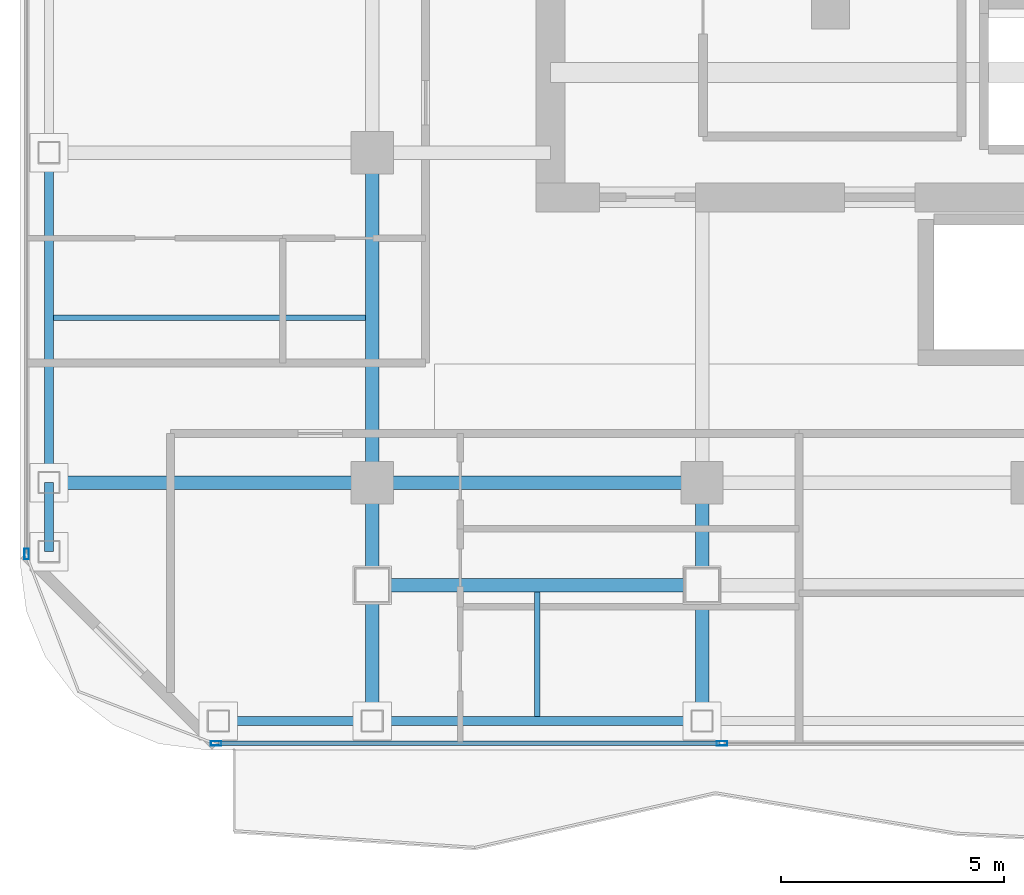
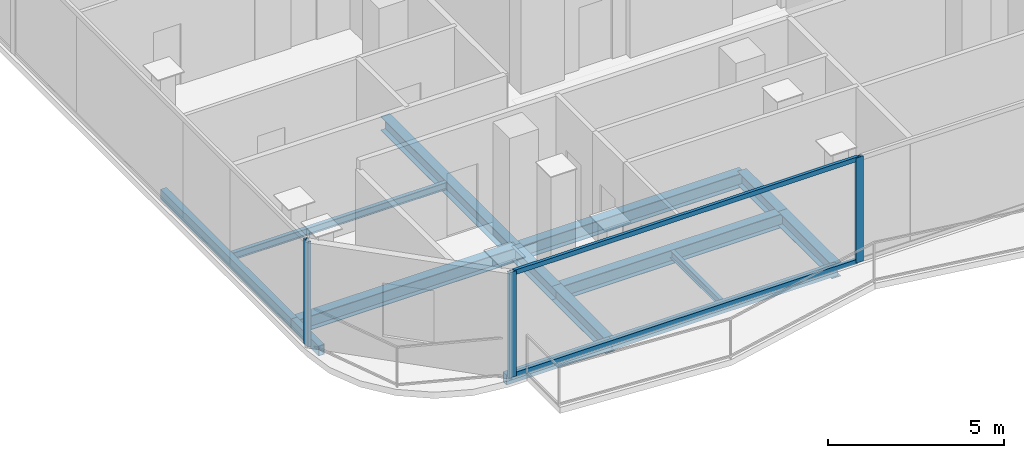
# One storey, part 2 of 22: 14 beams, 5 members, 2 elements without a shape of their own.
"""IFC4 building model written with IfcOpenShell, lengths in metres."""

from ifc_helpers import new_model, si_unit, direction, frame, origin, origin_2d, place, context, subcontext, project, spatial, hollow_rectangle, i_section, extrude, material, layer, layer_set, material_profile, profile_set, type_object, element, aggregate, save


model = new_model("IFC4")

# Units and contexts
model_context = context("Model", 3, precision=1e-05, world=origin(), true_north=direction((0.0, 1.0)))
body_context = subcontext(model_context, "Body", "Model", "MODEL_VIEW")
ifc_project = project(units=[si_unit("LENGTHUNIT", "METRE"), si_unit("AREAUNIT", "SQUARE_METRE"), si_unit("VOLUMEUNIT", "CUBIC_METRE"), si_unit("PLANEANGLEUNIT", "RADIAN"), si_unit("MASSUNIT", "GRAM", prefix="KILO")], contexts=[model_context])

# Site, building, storey
site_placement = place(None, origin())
site = spatial("IfcSite", under=ifc_project, at=site_placement, CompositionType="ELEMENT")
building_placement = place(site_placement, origin())
building = spatial("IfcBuilding", under=site, at=building_placement, Name="Khorvyn Point Tower", CompositionType="ELEMENT")
storey_placement = place(building_placement, frame((0.0, 0.0, 309.300048828125)))
storey = spatial("IfcBuildingStorey", under=building, at=storey_placement, Name="L76", CompositionType="ELEMENT", Elevation=309.300048828125)

# Curtain wall, members
ifc_material_1 = material(Name="Anodised aluminium 6063-T6 and laminated Low-E glass", Category="aluminium")
ifc_layer = layer(ifc_material_1, 0.18994140625)
ifc_layer_set = layer_set([ifc_layer], Name="Stick-Built High-Wind Curtain Wall CW-SYS-04")
curtain_wall_type = type_object("IfcCurtainWallType", Name="Stick-Built High-Wind Curtain Wall CW-SYS-04", PredefinedType="NOTDEFINED", material=ifc_layer_set)
curtain_wall_1_placement = place(storey_placement, origin())
curtain_wall_1 = element("IfcCurtainWall", 1, at=curtain_wall_1_placement, inside=storey, type_object=curtain_wall_type, Name="Curtain Wall", PredefinedType="NOTDEFINED")
ifc_material_2 = material(Name="Anodised aluminium 6063-T6", Category="aluminium")
ifc_material_profile_1 = material_profile(ifc_material_2, hollow_rectangle(XDim=0.10009765625, YDim=0.239990234375, WallThickness=0.0048828125, at=origin_2d()))
ifc_profile_set_1 = profile_set([ifc_material_profile_1], Name="Anodised aluminium 6063-T6 ALU-MUL-100x240")
member_type_1 = type_object("IfcMemberType", Name="Anodised Aluminium 6063-T6 Mullion ALU-MUL-100x240", PredefinedType="MULLION", material=ifc_profile_set_1)
member_1_placement = place(storey_placement, frame((-6.95361328125, -20.64990234375, 0.0), z_axis=(0.0, 0.0, 1.0), x_axis=(0.0, -1.0, 0.0)))
member_1 = element("IfcMember", 2, at=member_1_placement, type_object=member_type_1, Name="Transom", PredefinedType="MULLION", context=body_context, shape_type="SweptSolid", body=[
    extrude(hollow_rectangle(XDim=0.10009765625, YDim=0.239990234375, WallThickness=0.0048828125, at=origin_2d()), origin(), (0.0, 0.0, 1.0), 3.639892578125),
])
member_2_placement = place(storey_placement, frame((-18.300048828125, -20.64990234375, 0.0), z_axis=(0.0, 0.0, 1.0), x_axis=(0.0, -1.0, 0.0)))
member_2 = element("IfcMember", 3, at=member_2_placement, type_object=member_type_1, Name="Transom", PredefinedType="MULLION", context=body_context, shape_type="SweptSolid", body=[
    extrude(hollow_rectangle(XDim=0.10009765625, YDim=0.239990234375, WallThickness=0.0048828125, at=origin_2d()), origin(), (0.0, 0.0, 1.0), 3.639892578125),
])

# Curtain wall, member
curtain_wall_2_placement = place(storey_placement, origin())
curtain_wall_2 = element("IfcCurtainWall", 4, at=curtain_wall_2_placement, inside=storey, type_object=curtain_wall_type, Name="Curtain Wall", PredefinedType="NOTDEFINED")
member_3_placement = place(storey_placement, frame((-22.550048828125, -16.39990234375, 0.0), z_axis=(0.0, 0.0, 1.0), x_axis=(-1.0, 0.0, 0.0)))
member_3 = element("IfcMember", 5, at=member_3_placement, type_object=member_type_1, Name="Transom", PredefinedType="MULLION", context=body_context, shape_type="SweptSolid", body=[
    extrude(hollow_rectangle(XDim=0.10009765625, YDim=0.239990234375, WallThickness=0.0048828125, at=origin_2d()), origin(), (0.0, 0.0, 1.0), 3.639892578125),
])
aggregate(curtain_wall_2, [member_3])

# Member
ifc_material_profile_2 = material_profile(ifc_material_2, hollow_rectangle(XDim=0.10009765625, YDim=0.159912109375, WallThickness=0.00439453125, at=origin_2d()))
ifc_profile_set_2 = profile_set([ifc_material_profile_2], Name="Anodised aluminium 6063-T6 ALU-TRN-100x160")
member_type_2 = type_object("IfcMemberType", Name="Anodised Aluminium 6063-T6 Transom ALU-TRN-100x160", PredefinedType="USERDEFINED", material=ifc_profile_set_2)
member_4_placement = place(storey_placement, frame((-7.00341796875, -20.64990234375, 0.050048828125), z_axis=(-1.0, 0.0, 0.0), x_axis=(0.0, -1.0, 0.0)))
member_4 = element("IfcMember", 6, at=member_4_placement, type_object=member_type_2, Name="Transom", ObjectType="TRANSOM", PredefinedType="USERDEFINED", context=body_context, shape_type="SweptSolid", body=[
    extrude(hollow_rectangle(XDim=0.10009765625, YDim=0.159912109375, WallThickness=0.00439453125, at=origin_2d()), origin(), (0.0, 0.0, 1.0), 11.24658203125),
])

member_5_placement = place(storey_placement, frame((-7.00341796875, -20.64990234375, 3.58984375), z_axis=(-1.0, 0.0, 0.0), x_axis=(0.0, -1.0, 0.0)))
member_5 = element("IfcMember", 7, at=member_5_placement, type_object=member_type_2, Name="Transom", ObjectType="TRANSOM", PredefinedType="USERDEFINED", context=body_context, shape_type="SweptSolid", body=[
    extrude(hollow_rectangle(XDim=0.10009765625, YDim=0.159912109375, WallThickness=0.00439453125, at=origin_2d()), origin(), (0.0, 0.0, 1.0), 11.24658203125),
])

aggregate(curtain_wall_1, [member_1, member_2, member_4, member_5])

# Beams
ifc_material_3 = material(Name="Steel S355", Category="steel")
ifc_material_profile_3 = material_profile(ifc_material_3, i_section(OverallWidth=0.125, OverallDepth=0.25, WebThickness=0.006103515625, FlangeThickness=0.009033203125, at=origin_2d()))
ifc_profile_set_3 = profile_set([ifc_material_profile_3], Name="Steel S355 H250x125x6x9")
beam_type_1 = type_object("IfcBeamType", Name="Steel S355 Joist H250x125x6x9", PredefinedType="JOIST", material=ifc_profile_set_3)
beam_1_placement = place(storey_placement, frame((-21.949951171875, -11.10009765625, -0.344970703125), z_axis=(1.0, 0.0, 0.0), x_axis=(0.0, 1.0, 0.0)))
element("IfcBeam", 8, at=beam_1_placement, inside=storey, type_object=beam_type_1, Name="Beam", PredefinedType="JOIST", context=body_context, shape_type="SweptSolid", body=[
    extrude(i_section(OverallWidth=0.125, OverallDepth=0.25, WebThickness=0.006103515625, FlangeThickness=0.009033203125, at=origin_2d()), origin(), (0.0, 0.0, 1.0), 7.0),
])
beam_2_placement = place(storey_placement, frame((-11.10009765625, -20.050048828125, -0.344970703125), z_axis=(0.0, 1.0, 0.0), x_axis=(-1.0, 0.0, 0.0)))
element("IfcBeam", 9, at=beam_2_placement, inside=storey, type_object=beam_type_1, Name="Beam", PredefinedType="JOIST", context=body_context, shape_type="SweptSolid", body=[
    extrude(i_section(OverallWidth=0.125, OverallDepth=0.25, WebThickness=0.006103515625, FlangeThickness=0.009033203125, at=origin_2d()), origin(), (0.0, 0.0, 1.0), 2.800048828125),
])
ifc_material_profile_4 = material_profile(ifc_material_3, i_section(OverallWidth=0.300048828125, OverallDepth=0.488037109375, WebThickness=0.010986328125, FlangeThickness=0.01806640625, at=origin_2d()))
ifc_profile_set_4 = profile_set([ifc_material_profile_4], Name="Steel S355 H488x300x11x18")
beam_type_2 = type_object("IfcBeamType", Name="Steel S355 Spandrel H488x300x11x18", PredefinedType="SPANDREL", material=ifc_profile_set_4)
beam_3_placement = place(storey_placement, frame((-22.050048828125, -14.800048828125, -0.464111328125), z_axis=(1.0, 0.0, 0.0), x_axis=(0.0, 1.0, 0.0)))
element("IfcBeam", 10, at=beam_3_placement, inside=storey, type_object=beam_type_2, Name="Beam", PredefinedType="SPANDREL", context=body_context, shape_type="SweptSolid", body=[
    extrude(i_section(OverallWidth=0.300048828125, OverallDepth=0.488037109375, WebThickness=0.010986328125, FlangeThickness=0.01806640625, at=origin_2d()), origin(), (0.0, 0.0, 1.0), 7.25),
])
for number, where, z_axis, x_axis, name in (
    (11, (-14.800048828125, -14.800048828125, -0.464111328125), (1.0, 0.0, 0.0), (0.0, 1.0, 0.0), "Beam"),
    (12, (-14.800048828125, -17.10009765625, -0.464111328125), (1.0, 0.0, 0.0), (0.0, 1.0, 0.0), "Beam"),
):
    element("IfcBeam", number, at=place(storey_placement, frame(where, z_axis=z_axis, x_axis=x_axis)), inside=storey, type_object=beam_type_2, Name=name, PredefinedType="SPANDREL", context=body_context, shape_type="SweptSolid", body=[
        extrude(i_section(OverallWidth=0.300048828125, OverallDepth=0.488037109375, WebThickness=0.010986328125, FlangeThickness=0.01806640625, at=origin_2d()), origin(), (0.0, 0.0, 1.0), 7.400146484375),
    ])
beam_4_placement = place(storey_placement, frame((-14.800048828125, -20.14990234375, -0.464111328125), z_axis=(0.0, 1.0, 0.0), x_axis=(-1.0, 0.0, 0.0)))
element("IfcBeam", 13, at=beam_4_placement, inside=storey, type_object=beam_type_2, Name="Beam", PredefinedType="SPANDREL", context=body_context, shape_type="SweptSolid", body=[
    extrude(i_section(OverallWidth=0.300048828125, OverallDepth=0.488037109375, WebThickness=0.010986328125, FlangeThickness=0.01806640625, at=origin_2d()), origin(), (0.0, 0.0, 1.0), 3.0498046875),
])
beam_5_placement = place(storey_placement, frame((-14.800048828125, -17.10009765625, -0.464111328125), z_axis=(0.0, 1.0, 0.0), x_axis=(-1.0, 0.0, 0.0)))
element("IfcBeam", 14, at=beam_5_placement, inside=storey, type_object=beam_type_2, Name="Beam", PredefinedType="SPANDREL", context=body_context, shape_type="SweptSolid", body=[
    extrude(i_section(OverallWidth=0.300048828125, OverallDepth=0.488037109375, WebThickness=0.010986328125, FlangeThickness=0.01806640625, at=origin_2d()), origin(), (0.0, 0.0, 1.0), 2.300048828125),
])
beam_6_placement = place(storey_placement, frame((-14.800048828125, -14.800048828125, -0.464111328125), z_axis=(0.0, 1.0, 0.0), x_axis=(-1.0, 0.0, 0.0)))
element("IfcBeam", 15, at=beam_6_placement, inside=storey, type_object=beam_type_2, Name="Beam", PredefinedType="SPANDREL", context=body_context, shape_type="SweptSolid", body=[
    extrude(i_section(OverallWidth=0.300048828125, OverallDepth=0.488037109375, WebThickness=0.010986328125, FlangeThickness=0.01806640625, at=origin_2d()), origin(), (0.0, 0.0, 1.0), 7.400146484375),
])
beam_7_placement = place(storey_placement, frame((-7.39990234375, -20.14990234375, -0.464111328125), z_axis=(0.0, 1.0, 0.0), x_axis=(-1.0, 0.0, 0.0)))
element("IfcBeam", 16, at=beam_7_placement, inside=storey, type_object=beam_type_2, Name="Beam", PredefinedType="SPANDREL", context=body_context, shape_type="SweptSolid", body=[
    extrude(i_section(OverallWidth=0.300048828125, OverallDepth=0.488037109375, WebThickness=0.010986328125, FlangeThickness=0.01806640625, at=origin_2d()), origin(), (0.0, 0.0, 1.0), 3.0498046875),
])
beam_8_placement = place(storey_placement, frame((-7.39990234375, -17.10009765625, -0.464111328125), z_axis=(0.0, 1.0, 0.0), x_axis=(-1.0, 0.0, 0.0)))
element("IfcBeam", 17, at=beam_8_placement, inside=storey, type_object=beam_type_2, Name="Beam", PredefinedType="SPANDREL", context=body_context, shape_type="SweptSolid", body=[
    extrude(i_section(OverallWidth=0.300048828125, OverallDepth=0.488037109375, WebThickness=0.010986328125, FlangeThickness=0.01806640625, at=origin_2d()), origin(), (0.0, 0.0, 1.0), 2.300048828125),
])
ifc_material_profile_5 = material_profile(ifc_material_3, hollow_rectangle(XDim=0.199951171875, YDim=0.35009765625, WallThickness=0.013916015625, at=origin_2d()))
ifc_profile_set_5 = profile_set([ifc_material_profile_5], Name="Steel S355 RHS350x200x14")
beam_type_3 = type_object("IfcBeamType", Name="Steel S355 Spandrel RHS350x200x14", PredefinedType="SPANDREL", material=ifc_profile_set_5)
beam_9_placement = place(storey_placement, frame((-18.25, -20.14990234375, -0.39501953125), z_axis=(1.0, 0.0, 0.0), x_axis=(0.0, 1.0, 0.0)))
element("IfcBeam", 18, at=beam_9_placement, inside=storey, type_object=beam_type_3, Name="Beam", PredefinedType="SPANDREL", context=body_context, shape_type="SweptSolid", body=[
    extrude(hollow_rectangle(XDim=0.199951171875, YDim=0.35009765625, WallThickness=0.013916015625, at=origin_2d()), origin(), (0.0, 0.0, 1.0), 3.449951171875),
])
beam_10_placement = place(storey_placement, frame((-14.800048828125, -20.14990234375, -0.39501953125), z_axis=(1.0, 0.0, 0.0), x_axis=(0.0, 1.0, 0.0)))
element("IfcBeam", 19, at=beam_10_placement, inside=storey, type_object=beam_type_3, Name="Beam", PredefinedType="SPANDREL", context=body_context, shape_type="SweptSolid", body=[
    extrude(hollow_rectangle(XDim=0.199951171875, YDim=0.35009765625, WallThickness=0.013916015625, at=origin_2d()), origin(), (0.0, 0.0, 1.0), 7.400146484375),
])
beam_11_placement = place(storey_placement, frame((-22.050048828125, -16.35009765625, -0.39501953125), z_axis=(0.0, 1.0, 0.0), x_axis=(-1.0, 0.0, 0.0)))
element("IfcBeam", 20, at=beam_11_placement, inside=storey, type_object=beam_type_3, Name="Beam", PredefinedType="SPANDREL", context=body_context, shape_type="SweptSolid", body=[
    extrude(hollow_rectangle(XDim=0.199951171875, YDim=0.35009765625, WallThickness=0.013916015625, at=origin_2d()), origin(), (0.0, 0.0, 1.0), 1.550048828125),
])
beam_12_placement = place(storey_placement, frame((-22.050048828125, -14.800048828125, -0.39501953125), z_axis=(0.0, 1.0, 0.0), x_axis=(-1.0, 0.0, 0.0)))
element("IfcBeam", 21, at=beam_12_placement, inside=storey, type_object=beam_type_3, Name="Beam", PredefinedType="SPANDREL", context=body_context, shape_type="SweptSolid", body=[
    extrude(hollow_rectangle(XDim=0.199951171875, YDim=0.35009765625, WallThickness=0.013916015625, at=origin_2d()), origin(), (0.0, 0.0, 1.0), 7.400146484375),
])

save(model, "model.ifc")
